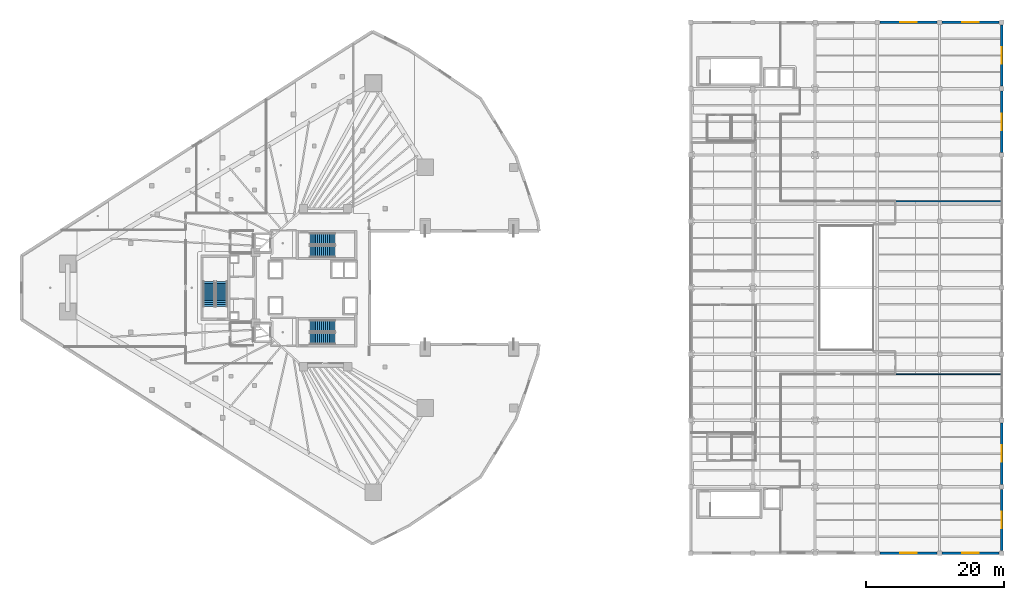
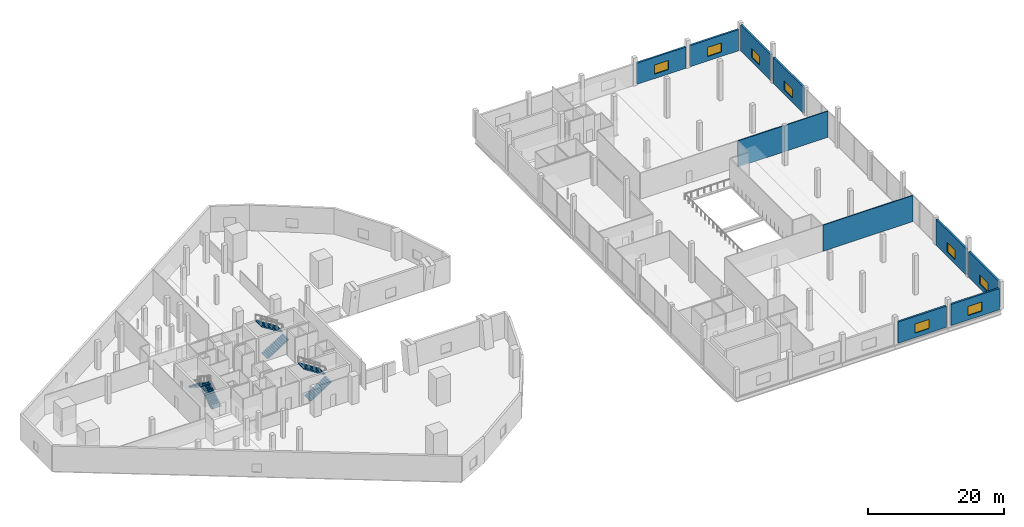
# One storey, part 34 of 43: 10 walls, 8 windows, 6 stair flights, 8 openings, 3 elements without a shape of their own.
"""IFC4 building model written with IfcOpenShell, lengths in metres."""

import ifcopenshell
import ifcopenshell.guid

model = None  # the IFC model being written
_history = None  # IfcOwnerHistory: only IFC2X3 demands one
_inside = {}  # id of a spatial element -> (the spatial element, [elements in it])
_under = {}  # id of a project, library or spatial element -> (it, [spatial elements below it])
_declared = {}  # id of a project -> (the project, [libraries it declares])
_typed = {}  # id of a type object -> (the type object, [elements of that type])
_made_of = {}  # id of a material, layer set ... -> (it, [elements and type objects made of it])


def new_model(schema):
    """Start an empty IFC model of exactly this schema.

    Asked for "IFC4X3", IfcOpenShell would pick the latest addendum, in which some entities
    have other attributes; the version numbers below select the first issue.
    IFC2X3 requires an IfcOwnerHistory on every rooted entity: one is made here for all.
    """
    global model, _history
    if schema == "IFC4X3":
        model = ifcopenshell.file(schema_version=(4, 3, 0, 0))
    else:
        model = ifcopenshell.file(schema=schema)
    _inside.clear()
    _under.clear()
    _declared.clear()
    _typed.clear()
    _made_of.clear()
    _history = None
    if model.schema == "IFC2X3":
        org = make("IfcOrganization", Name="unknown")
        user = make(
            "IfcPersonAndOrganization",
            ThePerson=make("IfcPerson", FamilyName="unknown"),
            TheOrganization=org,
        )
        app = make(
            "IfcApplication",
            ApplicationDeveloper=org,
            Version="unknown",
            ApplicationFullName="unknown",
            ApplicationIdentifier="unknown",
        )
        _history = make(
            "IfcOwnerHistory",
            OwningUser=user,
            OwningApplication=app,
            ChangeAction="ADDED",
            CreationDate=0,
        )
    return model


def make(cls, **values):
    """One entity of the class cls with the attributes given. An attribute that is None is left unset."""
    return model.create_entity(
        cls, **{name: value for name, value in values.items() if value is not None}
    )


def rooted(cls, **values):
    """An entity with a GlobalId (a new one), such as an element, a storey or a relation."""
    return make(cls, GlobalId=ifcopenshell.guid.new(), OwnerHistory=_history, **values)


def si_unit(unit_type, name, prefix=None):
    """IfcSIUnit, for example si_unit("LENGTHUNIT", "METRE", prefix="MILLI")."""
    return make("IfcSIUnit", UnitType=unit_type, Prefix=prefix, Name=name)


def assignment(units):
    """IfcUnitAssignment: the units of a project."""
    return None if units is None else make("IfcUnitAssignment", Units=units)


def point(xyz):
    """IfcCartesianPoint."""
    return None if xyz is None else make("IfcCartesianPoint", Coordinates=xyz)


def direction(xyz):
    """IfcDirection."""
    return None if xyz is None else make("IfcDirection", DirectionRatios=xyz)


def frame(location, z_axis=None, x_axis=None):
    """IfcAxis2Placement3D, a coordinate frame: its origin and axes. An axis left out is left unset."""
    return make(
        "IfcAxis2Placement3D",
        Location=point(location),
        Axis=direction(z_axis),
        RefDirection=direction(x_axis),
    )


def frame_2d(location, x_axis=None):
    """IfcAxis2Placement2D, a coordinate frame in the plane: its origin and x axis."""
    return make(
        "IfcAxis2Placement2D", Location=point(location), RefDirection=direction(x_axis)
    )


def origin():
    """The frame at (0, 0, 0) with its axes left unset."""
    return frame((0.0, 0.0, 0.0))


def place(relative_to, where):
    """IfcLocalPlacement: puts the frame where relative to a parent placement (None: the world)."""
    return make(
        "IfcLocalPlacement", PlacementRelTo=relative_to, RelativePlacement=where
    )


def context(
    kind, dimensions, precision=None, world=None, true_north=None, identifier=None
):
    """IfcGeometricRepresentationContext, for example the 3D "Model" context."""
    return make(
        "IfcGeometricRepresentationContext",
        ContextIdentifier=identifier,
        ContextType=kind,
        CoordinateSpaceDimension=dimensions,
        Precision=precision,
        WorldCoordinateSystem=world,
        TrueNorth=true_north,
    )


def subcontext(parent, identifier, kind, view, scale=None):
    """IfcGeometricRepresentationSubContext, for example "Body" below "Model"."""
    return make(
        "IfcGeometricRepresentationSubContext",
        ContextIdentifier=identifier,
        ContextType=kind,
        ParentContext=parent,
        TargetScale=scale,
        TargetView=view,
    )


def project(units=None, contexts=None):
    """IfcProject with its units and contexts."""
    return rooted(
        "IfcProject",
        Name="project",
        RepresentationContexts=contexts,
        UnitsInContext=assignment(units),
    )


def spatial(cls, under=None, at=None, **own):
    """A site, building, storey or space (cls), placed at a placement, below another one or the project."""
    s = rooted(cls, ObjectPlacement=at, **own)
    if under is not None:
        _under.setdefault(under.id(), (under, []))[1].append(s)
    return s


def polyline(points):
    """IfcPolyline through the points."""
    return make("IfcPolyline", Points=[point(p) for p in points])


def profile(cls, at=None, kind="AREA", **sizes):
    """A parametric profile (cls). Its sizes go by their IFC names, for example OverallWidth=200.0."""
    return make(cls, ProfileType=kind, Position=at, **sizes)


def rectangle(**sizes):
    """IfcRectangleProfileDef."""
    return profile("IfcRectangleProfileDef", **sizes)


def outline(outer, holes=None, kind="AREA"):
    """IfcArbitraryClosedProfileDef: a profile drawn as a closed curve; with holes, ...WithVoids."""
    if holes is None:
        return make("IfcArbitraryClosedProfileDef", ProfileType=kind, OuterCurve=outer)
    return make(
        "IfcArbitraryProfileDefWithVoids",
        ProfileType=kind,
        OuterCurve=outer,
        InnerCurves=holes,
    )


def extrude(swept, where, along, depth):
    """IfcExtrudedAreaSolid: the profile swept, set in the frame where, extruded along a direction by depth."""
    return make(
        "IfcExtrudedAreaSolid",
        SweptArea=swept,
        Position=where,
        ExtrudedDirection=direction(along),
        Depth=depth,
    )


def shape(context_of_items, identifier, shape_type, items):
    """IfcShapeRepresentation: the items that make up one representation, for example the "Body"."""
    return make(
        "IfcShapeRepresentation",
        ContextOfItems=context_of_items,
        RepresentationIdentifier=identifier,
        RepresentationType=shape_type,
        Items=items,
    )


def material(Name=None, Category=None):
    """IfcMaterial."""
    return make("IfcMaterial", Name=Name, Category=Category)


def layer(
    of_material, thickness, ventilated=None, Name=None, Category=None, Priority=None
):
    """IfcMaterialLayer: one layer of a wall or slab, of a material (None: an air gap)."""
    return make(
        "IfcMaterialLayer",
        Material=of_material,
        LayerThickness=thickness,
        IsVentilated=ventilated,
        Name=Name,
        Category=Category,
        Priority=Priority,
    )


def layer_set(layers, Name=None):
    """IfcMaterialLayerSet."""
    return make("IfcMaterialLayerSet", MaterialLayers=layers, LayerSetName=Name)


def made_of(thing, what):
    """Note that an element or type object is made of a material, layer set ...; save() writes the relation."""
    if what is not None:
        _made_of.setdefault(what.id(), (what, []))[1].append(thing)
    return thing


def type_object(cls, material=None, **own):
    """A type object (cls), such as IfcWallType, which elements share."""
    return made_of(rooted(cls, **own), material)


def element(
    cls,
    number,
    at=None,
    inside=None,
    cuts=None,
    type_object=None,
    material=None,
    context=None,
    identifier="Body",
    shape_type=None,
    held_by="IfcProductDefinitionShape",
    body=None,
    shapes=None,
    **own,
):
    """One element of the class cls, such as IfcWall. Its Tag is "e" and its number.

    at: its placement. inside: the storey or other place that contains it. cuts: it is an
    opening in that element (IfcRelVoidsElement). A single representation is given by context,
    identifier, shape_type and body (its items); several are given by shapes. held_by: the class
    of the entity that holds the representations. save() writes the other relations.
    """
    e = rooted(cls, Tag="e%d" % number, ObjectPlacement=at, **own)
    if body is not None:
        shapes = [shape(context, identifier, shape_type, body)]
    if shapes is not None:
        e.Representation = make(held_by, Representations=shapes)
    if inside is not None:
        _inside.setdefault(inside.id(), (inside, []))[1].append(e)
    if cuts is not None:
        rooted(
            "IfcRelVoidsElement", RelatingBuildingElement=cuts, RelatedOpeningElement=e
        )
    if type_object is not None:
        _typed.setdefault(type_object.id(), (type_object, []))[1].append(e)
    return made_of(e, material)


def fill(opening, filler):
    """IfcRelFillsElement: the door or window that sits in an opening."""
    return rooted(
        "IfcRelFillsElement",
        RelatingOpeningElement=opening,
        RelatedBuildingElement=filler,
    )


def aggregate(whole, parts):
    """IfcRelAggregates: a whole, such as a stair, and the parts it consists of."""
    return rooted("IfcRelAggregates", RelatingObject=whole, RelatedObjects=parts)


def save(model, path):
    """Write the relations noted so far, then the file.

    IfcRelAggregates (storeys below a building ...), IfcRelContainedInSpatialStructure (elements
    in a storey), IfcRelDefinesByType, IfcRelAssociatesMaterial and IfcRelDeclares: one each for
    every whole, place, type object, material and project.
    """
    for whole, parts in _under.values():
        aggregate(whole, parts)
    for where, things in _inside.values():
        rooted(
            "IfcRelContainedInSpatialStructure",
            RelatedElements=things,
            RelatingStructure=where,
        )
    for kind, things in _typed.values():
        rooted("IfcRelDefinesByType", RelatedObjects=things, RelatingType=kind)
    for what, things in _made_of.values():
        rooted("IfcRelAssociatesMaterial", RelatedObjects=things, RelatingMaterial=what)
    for by, libraries in _declared.values():
        rooted("IfcRelDeclares", RelatingContext=by, RelatedDefinitions=libraries)
    model.write(path)


model = new_model("IFC4")

# Units and contexts
model_context = context("Model", 3, precision=1e-05, world=origin(), true_north=direction((0.0, 1.0)))
body_context = subcontext(model_context, "Body", "Model", "MODEL_VIEW")
ifc_project = project(units=[si_unit("LENGTHUNIT", "METRE"), si_unit("AREAUNIT", "SQUARE_METRE"), si_unit("VOLUMEUNIT", "CUBIC_METRE"), si_unit("PLANEANGLEUNIT", "RADIAN"), si_unit("MASSUNIT", "GRAM", prefix="KILO")], contexts=[model_context])

# Site, building, storey
site_placement = place(None, origin())
site = spatial("IfcSite", under=ifc_project, at=site_placement, CompositionType="ELEMENT")
building_placement = place(site_placement, origin())
building = spatial("IfcBuilding", under=site, at=building_placement, Name="Qorvath Tower", CompositionType="ELEMENT")
storey_placement = place(building_placement, frame((0.0, 0.0, 22.0)))
storey = spatial("IfcBuildingStorey", under=building, at=storey_placement, Name="L04", CompositionType="ELEMENT", Elevation=22.0)

# Walls
ifc_material_1 = material(Name="Double acoustic gypsum board on steel studs", Category="steel")
ifc_layer_1 = layer(ifc_material_1, 0.159912109375)
ifc_layer_set_1 = layer_set([ifc_layer_1], Name="IW-ACOUSTIC-160")
wall_type_1 = type_object("IfcWallType", Name="IW-ACOUSTIC-160", PredefinedType="PARTITIONING", material=ifc_layer_set_1)
for number, where, z_axis, x_axis, name in (
    (1, (62.033203125, -12.5, 0.0), (0.0, 0.0, 1.0), (1.0, 0.0, 0.0), "Interior Partition IW-LB-L04-018"),
    (2, (77.320068359375, 12.5, 0.0), (0.0, 0.0, 1.0), (-1.0, 0.0, 0.0), "Interior Partition IW-LB-L04-019"),
):
    element("IfcWall", number, at=place(storey_placement, frame(where, z_axis=z_axis, x_axis=x_axis)), inside=storey, type_object=wall_type_1, Name=name, PredefinedType="PARTITIONING", context=body_context, shape_type="SweptSolid", body=[
        extrude(rectangle(XDim=15.286865234375, YDim=0.159912109375, at=frame_2d((7.6435546875, 0.0))), origin(), (0.0, 0.0, 1.0), 4.699951171875),
    ])

# Wall, opening, window
ifc_material_2 = material(Name="Precast concrete C45/55", Category="concrete")
ifc_layer_2 = layer(ifc_material_2, 0.320068359375)
ifc_layer_set_2 = layer_set([ifc_layer_2], Name="WL-EW-LIB-320")
wall_type_2 = type_object("IfcWallType", Name="WL-EW-LIB-320", PredefinedType="SOLIDWALL", material=ifc_layer_set_2)
wall_1_placement = place(storey_placement, frame((77.39990234375, -29.169921875, 0.0), z_axis=(0.0, 0.0, 1.0), x_axis=(0.0, -1.0, 0.0)))
wall_1 = element("IfcWall", 3, at=wall_1_placement, inside=storey, type_object=wall_type_2, Name="Library E Precast Wall L04-1", PredefinedType="SOLIDWALL", context=body_context, shape_type="SweptSolid", body=[
    extrude(rectangle(XDim=8.860107421875, YDim=0.320068359375, at=frame_2d((4.43017578125, 0.0))), origin(), (0.0, 0.0, 1.0), 4.699951171875),
])
opening_1_placement = place(wall_1_placement, frame((3.22998046875, 0.0, 0.800048828125)))
opening_1 = element("IfcOpeningElement", 4, at=opening_1_placement, cuts=wall_1, Name="Opening WN-L-125", PredefinedType="OPENING", context=body_context, shape_type="SweptSolid", body=[
    extrude(rectangle(XDim=2.39990234375, YDim=1.64990234375, at=frame_2d((1.199951171875, 0.824951171875))), frame((0.0, 0.169921875, 0.0), z_axis=(0.0, -1.0, 0.0), x_axis=(1.0, 0.0, 0.0)), (0.0, 0.0, 1.0), 0.340087890625),
])
ifc_material_3 = material(Name="Thermally broken aluminium and triple low-E glass", Category="aluminium")
window_type = type_object("IfcWindowType", Name="WN-2", PartitioningType="SINGLE_PANEL", PredefinedType="WINDOW", material=ifc_material_3)
window_1_placement = place(opening_1_placement, origin())
window_1 = element("IfcWindow", 5, at=window_1_placement, inside=storey, type_object=window_type, Name="Library Reading Punched Window 125", OverallHeight=1.64990234375, OverallWidth=2.39990234375, PartitioningType="SINGLE_PANEL", PredefinedType="WINDOW", context=body_context, shape_type="SweptSolid", body=[
    extrude(rectangle(XDim=2.39990234375, YDim=1.64990234375, at=frame_2d((1.199951171875, 0.824951171875))), frame((0.0, 0.030029296875, 0.0), z_axis=(0.0, -1.0, 0.0), x_axis=(1.0, 0.0, 0.0)), (0.0, 0.0, 1.0), 0.06005859375),
])
fill(opening_1, window_1)

wall_2_placement = place(storey_placement, frame((77.39990234375, -19.570068359375, 0.0), z_axis=(0.0, 0.0, 1.0), x_axis=(0.0, -1.0, 0.0)))
wall_2 = element("IfcWall", 6, at=wall_2_placement, inside=storey, type_object=wall_type_2, Name="Library E Precast Wall L04-2", PredefinedType="SOLIDWALL", context=body_context, shape_type="SweptSolid", body=[
    extrude(rectangle(XDim=8.85986328125, YDim=0.320068359375, at=frame_2d((4.429931640625, 0.0))), origin(), (0.0, 0.0, 1.0), 4.699951171875),
])
opening_2_placement = place(wall_2_placement, frame((3.22998046875, 0.0, 0.800048828125)))
opening_2 = element("IfcOpeningElement", 7, at=opening_2_placement, cuts=wall_2, Name="Opening WN-L-126", PredefinedType="OPENING", context=body_context, shape_type="SweptSolid", body=[
    extrude(rectangle(XDim=2.39990234375, YDim=1.64990234375, at=frame_2d((1.199951171875, 0.824951171875))), frame((0.0, 0.169921875, 0.0), z_axis=(0.0, -1.0, 0.0), x_axis=(1.0, 0.0, 0.0)), (0.0, 0.0, 1.0), 0.340087890625),
])
window_2_placement = place(opening_2_placement, origin())
window_2 = element("IfcWindow", 8, at=window_2_placement, inside=storey, type_object=window_type, Name="Library Reading Punched Window 126", OverallHeight=1.64990234375, OverallWidth=2.39990234375, PartitioningType="SINGLE_PANEL", PredefinedType="WINDOW", context=body_context, shape_type="SweptSolid", body=[
    extrude(rectangle(XDim=2.39990234375, YDim=1.64990234375, at=frame_2d((1.199951171875, 0.824951171875))), frame((0.0, 0.030029296875, 0.0), z_axis=(0.0, -1.0, 0.0), x_axis=(1.0, 0.0, 0.0)), (0.0, 0.0, 1.0), 0.06005859375),
])
fill(opening_2, window_2)

wall_3_placement = place(storey_placement, frame((77.39990234375, 28.429931640625, 0.0), z_axis=(0.0, 0.0, 1.0), x_axis=(0.0, -1.0, 0.0)))
wall_3 = element("IfcWall", 9, at=wall_3_placement, inside=storey, type_object=wall_type_2, Name="Library E Precast Wall L04-7", PredefinedType="SOLIDWALL", context=body_context, shape_type="SweptSolid", body=[
    extrude(rectangle(XDim=8.85986328125, YDim=0.320068359375, at=frame_2d((4.429931640625, 0.0))), origin(), (0.0, 0.0, 1.0), 4.699951171875),
])
opening_3_placement = place(wall_3_placement, frame((3.22998046875, 0.0, 0.800048828125)))
opening_3 = element("IfcOpeningElement", 10, at=opening_3_placement, cuts=wall_3, Name="Opening WN-L-127", PredefinedType="OPENING", context=body_context, shape_type="SweptSolid", body=[
    extrude(rectangle(XDim=2.39990234375, YDim=1.64990234375, at=frame_2d((1.199951171875, 0.824951171875))), frame((0.0, 0.169921875, 0.0), z_axis=(0.0, -1.0, 0.0), x_axis=(1.0, 0.0, 0.0)), (0.0, 0.0, 1.0), 0.340087890625),
])
window_3_placement = place(opening_3_placement, origin())
window_3 = element("IfcWindow", 11, at=window_3_placement, inside=storey, type_object=window_type, Name="Library Reading Punched Window 127", OverallHeight=1.64990234375, OverallWidth=2.39990234375, PartitioningType="SINGLE_PANEL", PredefinedType="WINDOW", context=body_context, shape_type="SweptSolid", body=[
    extrude(rectangle(XDim=2.39990234375, YDim=1.64990234375, at=frame_2d((1.199951171875, 0.824951171875))), frame((0.0, 0.030029296875, 0.0), z_axis=(0.0, -1.0, 0.0), x_axis=(1.0, 0.0, 0.0)), (0.0, 0.0, 1.0), 0.06005859375),
])
fill(opening_3, window_3)

wall_4_placement = place(storey_placement, frame((77.39990234375, 38.030029296875, 0.0), z_axis=(0.0, 0.0, 1.0), x_axis=(0.0, -1.0, 0.0)))
wall_4 = element("IfcWall", 12, at=wall_4_placement, inside=storey, type_object=wall_type_2, Name="Library E Precast Wall L04-8", PredefinedType="SOLIDWALL", context=body_context, shape_type="SweptSolid", body=[
    extrude(rectangle(XDim=8.860107421875, YDim=0.320068359375, at=frame_2d((4.43017578125, 0.0))), origin(), (0.0, 0.0, 1.0), 4.699951171875),
])
opening_4_placement = place(wall_4_placement, frame((3.22998046875, 0.0, 0.800048828125)))
opening_4 = element("IfcOpeningElement", 13, at=opening_4_placement, cuts=wall_4, Name="Opening WN-L-128", PredefinedType="OPENING", context=body_context, shape_type="SweptSolid", body=[
    extrude(rectangle(XDim=2.39990234375, YDim=1.64990234375, at=frame_2d((1.199951171875, 0.824951171875))), frame((0.0, 0.169921875, 0.0), z_axis=(0.0, -1.0, 0.0), x_axis=(1.0, 0.0, 0.0)), (0.0, 0.0, 1.0), 0.340087890625),
])
window_4_placement = place(opening_4_placement, origin())
window_4 = element("IfcWindow", 14, at=window_4_placement, inside=storey, type_object=window_type, Name="Library Reading Punched Window 128", OverallHeight=1.64990234375, OverallWidth=2.39990234375, PartitioningType="SINGLE_PANEL", PredefinedType="WINDOW", context=body_context, shape_type="SweptSolid", body=[
    extrude(rectangle(XDim=2.39990234375, YDim=1.64990234375, at=frame_2d((1.199951171875, 0.824951171875))), frame((0.0, 0.030029296875, 0.0), z_axis=(0.0, -1.0, 0.0), x_axis=(1.0, 0.0, 0.0)), (0.0, 0.0, 1.0), 0.06005859375),
])
fill(opening_4, window_4)

wall_5_placement = place(storey_placement, frame((68.77001953125, 38.39990234375, 0.0), z_axis=(0.0, 0.0, 1.0), x_axis=(1.0, 0.0, 0.0)))
wall_5 = element("IfcWall", 15, at=wall_5_placement, inside=storey, type_object=wall_type_2, Name="Library N Precast Wall L04-1", PredefinedType="SOLIDWALL", context=body_context, shape_type="SweptSolid", body=[
    extrude(rectangle(XDim=8.260009765625, YDim=0.320068359375, at=frame_2d((4.1298828125, 0.0))), origin(), (0.0, 0.0, 1.0), 3.81494140625),
])
opening_5_placement = place(wall_5_placement, frame((2.929931640625, 0.0, 0.800048828125)))
opening_5 = element("IfcOpeningElement", 16, at=opening_5_placement, cuts=wall_5, Name="Opening WN-L-129", PredefinedType="OPENING", context=body_context, shape_type="SweptSolid", body=[
    extrude(rectangle(XDim=2.39990234375, YDim=1.64990234375, at=frame_2d((1.199951171875, 0.824951171875))), frame((0.0, 0.169921875, 0.0), z_axis=(0.0, -1.0, 0.0), x_axis=(1.0, 0.0, 0.0)), (0.0, 0.0, 1.0), 0.340087890625),
])
window_5_placement = place(opening_5_placement, origin())
window_5 = element("IfcWindow", 17, at=window_5_placement, inside=storey, type_object=window_type, Name="Library Reading Punched Window 129", OverallHeight=1.64990234375, OverallWidth=2.39990234375, PartitioningType="SINGLE_PANEL", PredefinedType="WINDOW", context=body_context, shape_type="SweptSolid", body=[
    extrude(rectangle(XDim=2.39990234375, YDim=1.64990234375, at=frame_2d((1.199951171875, 0.824951171875))), frame((0.0, 0.030029296875, 0.0), z_axis=(0.0, -1.0, 0.0), x_axis=(1.0, 0.0, 0.0)), (0.0, 0.0, 1.0), 0.06005859375),
])
fill(opening_5, window_5)

wall_6_placement = place(storey_placement, frame((59.77001953125, 38.39990234375, 0.0), z_axis=(0.0, 0.0, 1.0), x_axis=(1.0, 0.0, 0.0)))
wall_6 = element("IfcWall", 18, at=wall_6_placement, inside=storey, type_object=wall_type_2, Name="Library N Precast Wall L04-2", PredefinedType="SOLIDWALL", context=body_context, shape_type="SweptSolid", body=[
    extrude(rectangle(XDim=8.260009765625, YDim=0.320068359375, at=frame_2d((4.1298828125, 0.0))), origin(), (0.0, 0.0, 1.0), 3.81494140625),
])
opening_6_placement = place(wall_6_placement, frame((2.929931640625, 0.0, 0.800048828125)))
opening_6 = element("IfcOpeningElement", 19, at=opening_6_placement, cuts=wall_6, Name="Opening WN-L-130", PredefinedType="OPENING", context=body_context, shape_type="SweptSolid", body=[
    extrude(rectangle(XDim=2.39990234375, YDim=1.64990234375, at=frame_2d((1.199951171875, 0.824951171875))), frame((0.0, 0.169921875, 0.0), z_axis=(0.0, -1.0, 0.0), x_axis=(1.0, 0.0, 0.0)), (0.0, 0.0, 1.0), 0.340087890625),
])
window_6_placement = place(opening_6_placement, origin())
window_6 = element("IfcWindow", 20, at=window_6_placement, inside=storey, type_object=window_type, Name="Library Reading Punched Window 130", OverallHeight=1.64990234375, OverallWidth=2.39990234375, PartitioningType="SINGLE_PANEL", PredefinedType="WINDOW", context=body_context, shape_type="SweptSolid", body=[
    extrude(rectangle(XDim=2.39990234375, YDim=1.64990234375, at=frame_2d((1.199951171875, 0.824951171875))), frame((0.0, 0.030029296875, 0.0), z_axis=(0.0, -1.0, 0.0), x_axis=(1.0, 0.0, 0.0)), (0.0, 0.0, 1.0), 0.06005859375),
])
fill(opening_6, window_6)

wall_7_placement = place(storey_placement, frame((68.030029296875, -38.39990234375, 0.0), z_axis=(0.0, 0.0, 1.0), x_axis=(-1.0, 0.0, 0.0)))
wall_7 = element("IfcWall", 21, at=wall_7_placement, inside=storey, type_object=wall_type_2, Name="Library S Precast Wall L04-4", PredefinedType="SOLIDWALL", context=body_context, shape_type="SweptSolid", body=[
    extrude(rectangle(XDim=8.260009765625, YDim=0.320068359375, at=frame_2d((4.1298828125, 0.0))), origin(), (0.0, 0.0, 1.0), 3.81494140625),
])
opening_7_placement = place(wall_7_placement, frame((2.929931640625, 0.0, 0.800048828125)))
opening_7 = element("IfcOpeningElement", 22, at=opening_7_placement, cuts=wall_7, Name="Opening WN-L-137", PredefinedType="OPENING", context=body_context, shape_type="SweptSolid", body=[
    extrude(rectangle(XDim=2.39990234375, YDim=1.64990234375, at=frame_2d((1.199951171875, 0.824951171875))), frame((0.0, 0.169921875, 0.0), z_axis=(0.0, -1.0, 0.0), x_axis=(1.0, 0.0, 0.0)), (0.0, 0.0, 1.0), 0.340087890625),
])
window_7_placement = place(opening_7_placement, origin())
window_7 = element("IfcWindow", 23, at=window_7_placement, inside=storey, type_object=window_type, Name="Library Reading Punched Window 137", OverallHeight=1.64990234375, OverallWidth=2.39990234375, PartitioningType="SINGLE_PANEL", PredefinedType="WINDOW", context=body_context, shape_type="SweptSolid", body=[
    extrude(rectangle(XDim=2.39990234375, YDim=1.64990234375, at=frame_2d((1.199951171875, 0.824951171875))), frame((0.0, 0.030029296875, 0.0), z_axis=(0.0, -1.0, 0.0), x_axis=(1.0, 0.0, 0.0)), (0.0, 0.0, 1.0), 0.06005859375),
])
fill(opening_7, window_7)

wall_8_placement = place(storey_placement, frame((77.030029296875, -38.39990234375, 0.0), z_axis=(0.0, 0.0, 1.0), x_axis=(-1.0, 0.0, 0.0)))
wall_8 = element("IfcWall", 24, at=wall_8_placement, inside=storey, type_object=wall_type_2, Name="Library S Precast Wall L04-5", PredefinedType="SOLIDWALL", context=body_context, shape_type="SweptSolid", body=[
    extrude(rectangle(XDim=8.260009765625, YDim=0.320068359375, at=frame_2d((4.1298828125, 0.0))), origin(), (0.0, 0.0, 1.0), 3.81494140625),
])
opening_8_placement = place(wall_8_placement, frame((2.929931640625, 0.0, 0.800048828125)))
opening_8 = element("IfcOpeningElement", 25, at=opening_8_placement, cuts=wall_8, Name="Opening WN-L-138", PredefinedType="OPENING", context=body_context, shape_type="SweptSolid", body=[
    extrude(rectangle(XDim=2.39990234375, YDim=1.64990234375, at=frame_2d((1.199951171875, 0.824951171875))), frame((0.0, 0.169921875, 0.0), z_axis=(0.0, -1.0, 0.0), x_axis=(1.0, 0.0, 0.0)), (0.0, 0.0, 1.0), 0.340087890625),
])
window_8_placement = place(opening_8_placement, origin())
window_8 = element("IfcWindow", 26, at=window_8_placement, inside=storey, type_object=window_type, Name="Library Reading Punched Window 138", OverallHeight=1.64990234375, OverallWidth=2.39990234375, PartitioningType="SINGLE_PANEL", PredefinedType="WINDOW", context=body_context, shape_type="SweptSolid", body=[
    extrude(rectangle(XDim=2.39990234375, YDim=1.64990234375, at=frame_2d((1.199951171875, 0.824951171875))), frame((0.0, 0.030029296875, 0.0), z_axis=(0.0, -1.0, 0.0), x_axis=(1.0, 0.0, 0.0)), (0.0, 0.0, 1.0), 0.06005859375),
])
fill(opening_8, window_8)

# Stair, stair flights
ifc_material_4 = material(Name="Concrete C50/60", Category="concrete")
stair_type = type_object("IfcStairType", Name="ST-H500", PredefinedType="HALF_TURN_STAIR", material=ifc_material_4)
stair_1_placement = place(storey_placement, origin())
stair_1 = element("IfcStair", 27, at=stair_1_placement, inside=storey, type_object=stair_type, Name="L04 Tower Exit Stair 1", PredefinedType="HALF_TURN_STAIR")
ifc_material_5 = material(Name="Concrete C50/60", Category="concrete")
ifc_layer_3 = layer(ifc_material_5, 0.14990234375)
ifc_layer_set_3 = layer_set([ifc_layer_3], Name="SF-H500")
stair_flight_type = type_object("IfcStairFlightType", Name="SF-H500", PredefinedType="STRAIGHT", material=ifc_layer_set_3)
stair_flight_1_placement = place(storey_placement, frame((-22.669921875, 5.239990234375, 0.0), z_axis=(0.0, 0.0, 1.0), x_axis=(1.0, 0.0, 0.0)))
stair_flight_1 = element("IfcStairFlight", 28, at=stair_flight_1_placement, type_object=stair_flight_type, Name="TS1 flight 1", NumberOfRisers=14, NumberOfTreads=13, PredefinedType="STRAIGHT", RiserHeight=0.178571429, TreadLength=0.28, context=body_context, shape_type="SweptSolid", body=[
    extrude(outline(polyline([(0.0, 0.0), (0.0, 0.178466796875), (0.280029296875, 0.178466796875), (0.280029296875, 0.357177734375), (0.56005859375, 0.357177734375), (0.56005859375, 0.53564453125), (0.840087890625, 0.53564453125), (0.840087890625, 0.71435546875), (1.1201171875, 0.71435546875), (1.1201171875, 0.892822265625), (1.39990234375, 0.892822265625), (1.39990234375, 1.071533203125), (1.679931640625, 1.071533203125), (1.679931640625, 1.25), (1.9599609375, 1.25), (1.9599609375, 1.428466796875), (2.239990234375, 1.428466796875), (2.239990234375, 1.607177734375), (2.52001953125, 1.607177734375), (2.52001953125, 1.78564453125), (2.800048828125, 1.78564453125), (2.800048828125, 1.96435546875), (3.080078125, 1.96435546875), (3.080078125, 2.142822265625), (3.360107421875, 2.142822265625), (3.360107421875, 2.321533203125), (3.639892578125, 2.321533203125), (3.639892578125, 2.5), (3.639892578125, 2.1435546875), (0.27880859375, 0.0), (0.0, 0.0)])), frame((0.0, 0.83984375, 0.0), z_axis=(0.0, -1.0, 0.0), x_axis=(1.0, 0.0, 0.0)), (0.0, 0.0, 1.0), 1.679931640625),
])
stair_flight_2_placement = place(storey_placement, frame((-19.030029296875, 7.070068359375, 2.5), z_axis=(0.0, 0.0, 1.0), x_axis=(-1.0, 0.0, 0.0)))
stair_flight_2 = element("IfcStairFlight", 29, at=stair_flight_2_placement, type_object=stair_flight_type, Name="TS1 flight 2", NumberOfRisers=14, NumberOfTreads=13, PredefinedType="STRAIGHT", RiserHeight=0.178571429, TreadLength=0.28, context=body_context, shape_type="SweptSolid", body=[
    extrude(outline(polyline([(0.0, 0.0), (0.0, 0.178466796875), (0.280029296875, 0.178466796875), (0.280029296875, 0.357177734375), (0.56005859375, 0.357177734375), (0.56005859375, 0.53564453125), (0.840087890625, 0.53564453125), (0.840087890625, 0.71435546875), (1.1201171875, 0.71435546875), (1.1201171875, 0.892822265625), (1.39990234375, 0.892822265625), (1.39990234375, 1.071533203125), (1.679931640625, 1.071533203125), (1.679931640625, 1.25), (1.9599609375, 1.25), (1.9599609375, 1.428466796875), (2.239990234375, 1.428466796875), (2.239990234375, 1.607177734375), (2.52001953125, 1.607177734375), (2.52001953125, 1.78564453125), (2.800048828125, 1.78564453125), (2.800048828125, 1.96435546875), (3.080078125, 1.96435546875), (3.080078125, 2.142822265625), (3.360107421875, 2.142822265625), (3.360107421875, 2.321533203125), (3.639892578125, 2.321533203125), (3.639892578125, 2.5), (3.639892578125, 2.1435546875), (0.27880859375, 0.0), (0.0, 0.0)])), frame((0.0, 0.83984375, 0.0), z_axis=(0.0, -1.0, 0.0), x_axis=(1.0, 0.0, 0.0)), (0.0, 0.0, 1.0), 1.679931640625),
])
aggregate(stair_1, [stair_flight_1, stair_flight_2])

stair_2_placement = place(storey_placement, origin())
stair_2 = element("IfcStair", 30, at=stair_2_placement, inside=storey, type_object=stair_type, Name="L04 Tower Exit Stair 2", PredefinedType="HALF_TURN_STAIR")
stair_flight_3_placement = place(storey_placement, frame((-22.669921875, -7.360107421875, 0.0), z_axis=(0.0, 0.0, 1.0), x_axis=(1.0, 0.0, 0.0)))
stair_flight_3 = element("IfcStairFlight", 31, at=stair_flight_3_placement, type_object=stair_flight_type, Name="TS2 flight 1", NumberOfRisers=14, NumberOfTreads=13, PredefinedType="STRAIGHT", RiserHeight=0.178571429, TreadLength=0.28, context=body_context, shape_type="SweptSolid", body=[
    extrude(outline(polyline([(0.0, 0.0), (0.0, 0.178466796875), (0.280029296875, 0.178466796875), (0.280029296875, 0.357177734375), (0.56005859375, 0.357177734375), (0.56005859375, 0.53564453125), (0.840087890625, 0.53564453125), (0.840087890625, 0.71435546875), (1.1201171875, 0.71435546875), (1.1201171875, 0.892822265625), (1.39990234375, 0.892822265625), (1.39990234375, 1.071533203125), (1.679931640625, 1.071533203125), (1.679931640625, 1.25), (1.9599609375, 1.25), (1.9599609375, 1.428466796875), (2.239990234375, 1.428466796875), (2.239990234375, 1.607177734375), (2.52001953125, 1.607177734375), (2.52001953125, 1.78564453125), (2.800048828125, 1.78564453125), (2.800048828125, 1.96435546875), (3.080078125, 1.96435546875), (3.080078125, 2.142822265625), (3.360107421875, 2.142822265625), (3.360107421875, 2.321533203125), (3.639892578125, 2.321533203125), (3.639892578125, 2.5), (3.639892578125, 2.1435546875), (0.27880859375, 0.0), (0.0, 0.0)])), frame((0.0, 0.83984375, 0.0), z_axis=(0.0, -1.0, 0.0), x_axis=(1.0, 0.0, 0.0)), (0.0, 0.0, 1.0), 1.679931640625),
])
stair_flight_4_placement = place(storey_placement, frame((-19.030029296875, -5.530029296875, 2.5), z_axis=(0.0, 0.0, 1.0), x_axis=(-1.0, 0.0, 0.0)))
stair_flight_4 = element("IfcStairFlight", 32, at=stair_flight_4_placement, type_object=stair_flight_type, Name="TS2 flight 2", NumberOfRisers=14, NumberOfTreads=13, PredefinedType="STRAIGHT", RiserHeight=0.178571429, TreadLength=0.28, context=body_context, shape_type="SweptSolid", body=[
    extrude(outline(polyline([(0.0, 0.0), (0.0, 0.178466796875), (0.280029296875, 0.178466796875), (0.280029296875, 0.357177734375), (0.56005859375, 0.357177734375), (0.56005859375, 0.53564453125), (0.840087890625, 0.53564453125), (0.840087890625, 0.71435546875), (1.1201171875, 0.71435546875), (1.1201171875, 0.892822265625), (1.39990234375, 0.892822265625), (1.39990234375, 1.071533203125), (1.679931640625, 1.071533203125), (1.679931640625, 1.25), (1.9599609375, 1.25), (1.9599609375, 1.428466796875), (2.239990234375, 1.428466796875), (2.239990234375, 1.607177734375), (2.52001953125, 1.607177734375), (2.52001953125, 1.78564453125), (2.800048828125, 1.78564453125), (2.800048828125, 1.96435546875), (3.080078125, 1.96435546875), (3.080078125, 2.142822265625), (3.360107421875, 2.142822265625), (3.360107421875, 2.321533203125), (3.639892578125, 2.321533203125), (3.639892578125, 2.5), (3.639892578125, 2.1435546875), (0.27880859375, 0.0), (0.0, 0.0)])), frame((0.0, 0.83984375, 0.0), z_axis=(0.0, -1.0, 0.0), x_axis=(1.0, 0.0, 0.0)), (0.0, 0.0, 1.0), 1.679931640625),
])
aggregate(stair_2, [stair_flight_3, stair_flight_4])

stair_3_placement = place(storey_placement, origin())
stair_3 = element("IfcStair", 33, at=stair_3_placement, inside=storey, type_object=stair_type, Name="L04 Tower Exit Stair 3", PredefinedType="HALF_TURN_STAIR")
stair_flight_5_placement = place(storey_placement, frame((-35.43994140625, -2.719970703125, 0.0), z_axis=(0.0, 0.0, 1.0), x_axis=(0.0, 1.0, 0.0)))
stair_flight_5 = element("IfcStairFlight", 34, at=stair_flight_5_placement, type_object=stair_flight_type, Name="TS3 flight 1", NumberOfRisers=14, NumberOfTreads=13, PredefinedType="STRAIGHT", RiserHeight=0.178571429, TreadLength=0.28, context=body_context, shape_type="SweptSolid", body=[
    extrude(outline(polyline([(0.0, 0.0), (0.0, 0.178466796875), (0.280029296875, 0.178466796875), (0.280029296875, 0.357177734375), (0.56005859375, 0.357177734375), (0.56005859375, 0.53564453125), (0.840087890625, 0.53564453125), (0.840087890625, 0.71435546875), (1.1201171875, 0.71435546875), (1.1201171875, 0.892822265625), (1.39990234375, 0.892822265625), (1.39990234375, 1.071533203125), (1.679931640625, 1.071533203125), (1.679931640625, 1.25), (1.9599609375, 1.25), (1.9599609375, 1.428466796875), (2.239990234375, 1.428466796875), (2.239990234375, 1.607177734375), (2.52001953125, 1.607177734375), (2.52001953125, 1.78564453125), (2.800048828125, 1.78564453125), (2.800048828125, 1.96435546875), (3.080078125, 1.96435546875), (3.080078125, 2.142822265625), (3.360107421875, 2.142822265625), (3.360107421875, 2.321533203125), (3.639892578125, 2.321533203125), (3.639892578125, 2.5), (3.639892578125, 2.1435546875), (0.27880859375, 0.0), (0.0, 0.0)])), frame((0.0, 0.83984375, 0.0), z_axis=(0.0, -1.0, 0.0), x_axis=(1.0, 0.0, 0.0)), (0.0, 0.0, 1.0), 1.679931640625),
])
stair_flight_6_placement = place(storey_placement, frame((-37.27001953125, 0.919921875, 2.5), z_axis=(0.0, 0.0, 1.0), x_axis=(0.0, -1.0, 0.0)))
stair_flight_6 = element("IfcStairFlight", 35, at=stair_flight_6_placement, type_object=stair_flight_type, Name="TS3 flight 2", NumberOfRisers=14, NumberOfTreads=13, PredefinedType="STRAIGHT", RiserHeight=0.178571429, TreadLength=0.28, context=body_context, shape_type="SweptSolid", body=[
    extrude(outline(polyline([(0.0, 0.0), (0.0, 0.178466796875), (0.280029296875, 0.178466796875), (0.280029296875, 0.357177734375), (0.56005859375, 0.357177734375), (0.56005859375, 0.53564453125), (0.840087890625, 0.53564453125), (0.840087890625, 0.71435546875), (1.1201171875, 0.71435546875), (1.1201171875, 0.892822265625), (1.39990234375, 0.892822265625), (1.39990234375, 1.071533203125), (1.679931640625, 1.071533203125), (1.679931640625, 1.25), (1.9599609375, 1.25), (1.9599609375, 1.428466796875), (2.239990234375, 1.428466796875), (2.239990234375, 1.607177734375), (2.52001953125, 1.607177734375), (2.52001953125, 1.78564453125), (2.800048828125, 1.78564453125), (2.800048828125, 1.96435546875), (3.080078125, 1.96435546875), (3.080078125, 2.142822265625), (3.360107421875, 2.142822265625), (3.360107421875, 2.321533203125), (3.639892578125, 2.321533203125), (3.639892578125, 2.5), (3.639892578125, 2.1435546875), (0.27880859375, 0.0), (0.0, 0.0)])), frame((0.0, 0.83984375, 0.0), z_axis=(0.0, -1.0, 0.0), x_axis=(1.0, 0.0, 0.0)), (0.0, 0.0, 1.0), 1.679931640625),
])
aggregate(stair_3, [stair_flight_5, stair_flight_6])

save(model, "model.ifc")
